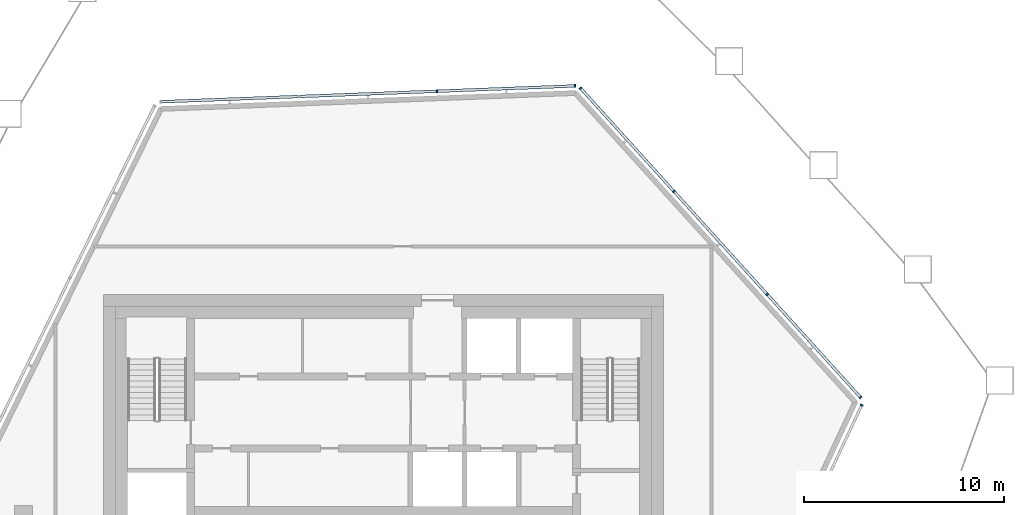
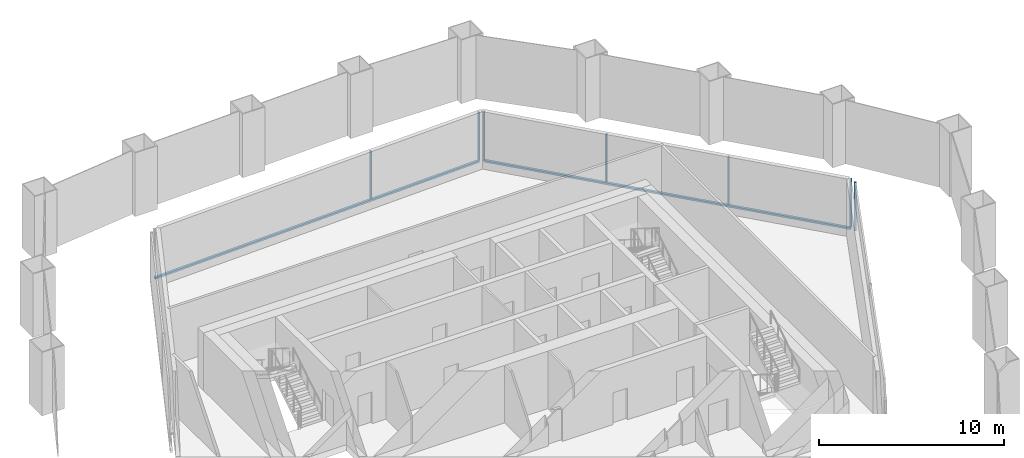
# One storey, part 6 of 18: 9 members, 3 elements without a shape of their own.
"""IFC4 building model written with IfcOpenShell, lengths in metres."""

from ifc_helpers import new_model, si_unit, direction, frame, origin, origin_2d, place, context, subcontext, project, spatial, rectangle, extrude, material, layer, layer_set, material_profile, profile_set, type_object, element, aggregate, save


model = new_model("IFC4")

# Units and contexts
model_context = context("Model", 3, precision=1e-05, world=origin(), true_north=direction((0.0, 1.0)))
body_context = subcontext(model_context, "Body", "Model", "MODEL_VIEW")
ifc_project = project(units=[si_unit("LENGTHUNIT", "METRE"), si_unit("AREAUNIT", "SQUARE_METRE"), si_unit("VOLUMEUNIT", "CUBIC_METRE"), si_unit("PLANEANGLEUNIT", "RADIAN"), si_unit("MASSUNIT", "GRAM", prefix="KILO")], contexts=[model_context])

# Site, building, storey
site_placement = place(None, origin())
site = spatial("IfcSite", under=ifc_project, at=site_placement, CompositionType="ELEMENT")
building_placement = place(site_placement, origin())
building = spatial("IfcBuilding", under=site, at=building_placement, Name="Dongbaek Canopy Tower", CompositionType="ELEMENT")
storey_placement = place(building_placement, frame((0.0, 0.0, 359.0)))
storey = spatial("IfcBuildingStorey", under=building, at=storey_placement, Name="L77", CompositionType="ELEMENT", Elevation=359.0)

# Curtain wall, member
ifc_material_1 = material(Name="Aluminium 6063-T6 pale anodised", Category="aluminium")
ifc_layer = layer(ifc_material_1, 0.14990234375)
ifc_layer_set = layer_set([ifc_layer], Name="CW-7 louvre curtain wall")
curtain_wall_type = type_object("IfcCurtainWallType", Name="CW-7 louvre curtain wall", PredefinedType="NOTDEFINED", material=ifc_layer_set)
curtain_wall_1_placement = place(storey_placement, origin())
curtain_wall_1 = element("IfcCurtainWall", 1, at=curtain_wall_1_placement, inside=storey, type_object=curtain_wall_type, Name="CW-7 louvre wall L77 F1", PredefinedType="NOTDEFINED")
ifc_material_2 = material(Name="Aluminium 6063-T6 pale anodised", Category="aluminium")
ifc_material_profile_1 = material_profile(ifc_material_2, rectangle(XDim=0.14990234375, YDim=0.080078125, at=origin_2d()), Name="CW-7 mullion 80 x 150")
ifc_profile_set_1 = profile_set([ifc_material_profile_1], Name="Aluminium 6063-T6 pale anodised")
member_type_1 = type_object("IfcMemberType", Name="CW-7 mullion 80 x 150", PredefinedType="MULLION", material=ifc_profile_set_1)
member_1_placement = place(storey_placement, frame((23.899658203125, 5.46533203125, 0.300048828125), z_axis=(0.0, 0.0, 1.0), x_axis=(0.905604659029, -0.42412286138, 0.0)))
member_1 = element("IfcMember", 2, at=member_1_placement, type_object=member_type_1, Name="CW-7 mullion L77 F1.1.4", PredefinedType="MULLION", context=body_context, shape_type="SweptSolid", body=[
    extrude(rectangle(XDim=0.14990234375, YDim=0.080078125, at=origin_2d()), origin(), (0.0, 0.0, 1.0), 3.199951171875),
])
aggregate(curtain_wall_1, [member_1])

# Curtain wall, members
curtain_wall_2_placement = place(storey_placement, origin())
curtain_wall_2 = element("IfcCurtainWall", 3, at=curtain_wall_2_placement, inside=storey, type_object=curtain_wall_type, Name="CW-7 louvre wall L77 F2", PredefinedType="NOTDEFINED")
member_2_placement = place(storey_placement, frame((23.84228515625, 5.848876953125, 0.300048828125), z_axis=(0.0, 0.0, 1.0), x_axis=(0.741222228581, 0.671259717142, 0.0)))
member_2 = element("IfcMember", 4, at=member_2_placement, type_object=member_type_1, Name="CW-7 mullion L77 F2.1.1", PredefinedType="MULLION", context=body_context, shape_type="SweptSolid", body=[
    extrude(rectangle(XDim=0.14990234375, YDim=0.080078125, at=origin_2d()), origin(), (0.0, 0.0, 1.0), 3.199951171875),
])
member_3_placement = place(storey_placement, frame((19.17578125, 11.001708984375, 0.300048828125), z_axis=(0.0, 0.0, 1.0), x_axis=(0.741222228581, 0.671259717142, 0.0)))
member_3 = element("IfcMember", 5, at=member_3_placement, type_object=member_type_1, Name="CW-7 mullion L77 F2.1.2", PredefinedType="MULLION", context=body_context, shape_type="SweptSolid", body=[
    extrude(rectangle(XDim=0.14990234375, YDim=0.080078125, at=origin_2d()), origin(), (0.0, 0.0, 1.0), 3.199951171875),
])
member_4_placement = place(storey_placement, frame((14.509033203125, 16.154541015625, 0.300048828125), z_axis=(0.0, 0.0, 1.0), x_axis=(0.741222228581, 0.671259717142, 0.0)))
member_4 = element("IfcMember", 6, at=member_4_placement, type_object=member_type_1, Name="CW-7 mullion L77 F2.1.3", PredefinedType="MULLION", context=body_context, shape_type="SweptSolid", body=[
    extrude(rectangle(XDim=0.14990234375, YDim=0.080078125, at=origin_2d()), origin(), (0.0, 0.0, 1.0), 3.199951171875),
])
member_5_placement = place(storey_placement, frame((9.842529296875, 21.307373046875, 0.300048828125), z_axis=(0.0, 0.0, 1.0), x_axis=(0.741222228581, 0.671259717142, 0.0)))
member_5 = element("IfcMember", 7, at=member_5_placement, type_object=member_type_1, Name="CW-7 mullion L77 F2.1.4", PredefinedType="MULLION", context=body_context, shape_type="SweptSolid", body=[
    extrude(rectangle(XDim=0.14990234375, YDim=0.080078125, at=origin_2d()), origin(), (0.0, 0.0, 1.0), 3.199951171875),
])

curtain_wall_3_placement = place(storey_placement, origin())
curtain_wall_3 = element("IfcCurtainWall", 8, at=curtain_wall_3_placement, inside=storey, type_object=curtain_wall_type, Name="CW-7 louvre wall L77 F3", PredefinedType="NOTDEFINED")
member_6_placement = place(storey_placement, frame((9.56982421875, 21.42236328125, 0.300048828125), z_axis=(0.0, 0.0, 1.0), x_axis=(-0.038231979514, 0.999268890611, 0.0)))
member_6 = element("IfcMember", 9, at=member_6_placement, type_object=member_type_1, Name="CW-7 mullion L77 F3.1.1", PredefinedType="MULLION", context=body_context, shape_type="SweptSolid", body=[
    extrude(rectangle(XDim=0.14990234375, YDim=0.080078125, at=origin_2d()), origin(), (0.0, 0.0, 1.0), 3.199951171875),
])
member_7_placement = place(storey_placement, frame((2.66259765625, 21.157958984375, 0.300048828125), z_axis=(0.0, 0.0, 1.0), x_axis=(-0.038231979514, 0.999268890611, 0.0)))
member_7 = element("IfcMember", 10, at=member_7_placement, type_object=member_type_1, Name="CW-7 mullion L77 F3.1.2", PredefinedType="MULLION", context=body_context, shape_type="SweptSolid", body=[
    extrude(rectangle(XDim=0.14990234375, YDim=0.080078125, at=origin_2d()), origin(), (0.0, 0.0, 1.0), 3.199951171875),
])

# Member
ifc_material_3 = material(Name="Aluminium 6063-T6 pale anodised", Category="aluminium")
ifc_material_profile_2 = material_profile(ifc_material_3, rectangle(XDim=0.14990234375, YDim=0.1201171875, at=origin_2d()), Name="CW-7 transom 120 x 150")
ifc_profile_set_2 = profile_set([ifc_material_profile_2], Name="Aluminium 6063-T6 pale anodised")
member_type_2 = type_object("IfcMemberType", Name="CW-7 transom 120 x 150", PredefinedType="USERDEFINED", material=ifc_profile_set_2)
member_8_placement = place(storey_placement, frame((23.84228515625, 5.848876953125, 0.239990234375), z_axis=(-0.671269118368, 0.741213714609, 0.0), x_axis=(-0.741213714609, -0.671269118368, 0.0)))
member_8 = element("IfcMember", 11, at=member_8_placement, type_object=member_type_2, Name="CW-7 transom L77 F2.1", ObjectType="TRANSOM", PredefinedType="USERDEFINED", context=body_context, shape_type="SweptSolid", body=[
    extrude(rectangle(XDim=0.14990234375, YDim=0.1201171875, at=origin_2d()), origin(), (0.0, 0.0, 1.0), 20.855712890625),
])

aggregate(curtain_wall_2, [member_8, member_2, member_3, member_4, member_5])

member_9_placement = place(storey_placement, frame((9.56982421875, 21.42236328125, 0.239990234375), z_axis=(-0.999268598968, -0.038239601412, 0.0), x_axis=(0.038239601412, -0.999268598968, 0.0)))
member_9 = element("IfcMember", 12, at=member_9_placement, type_object=member_type_2, Name="CW-7 transom L77 F3.1", ObjectType="TRANSOM", PredefinedType="USERDEFINED", context=body_context, shape_type="SweptSolid", body=[
    extrude(rectangle(XDim=0.14990234375, YDim=0.1201171875, at=origin_2d()), origin(), (0.0, 0.0, 1.0), 20.73681640625),
])

aggregate(curtain_wall_3, [member_9, member_6, member_7])

save(model, "model.ifc")
